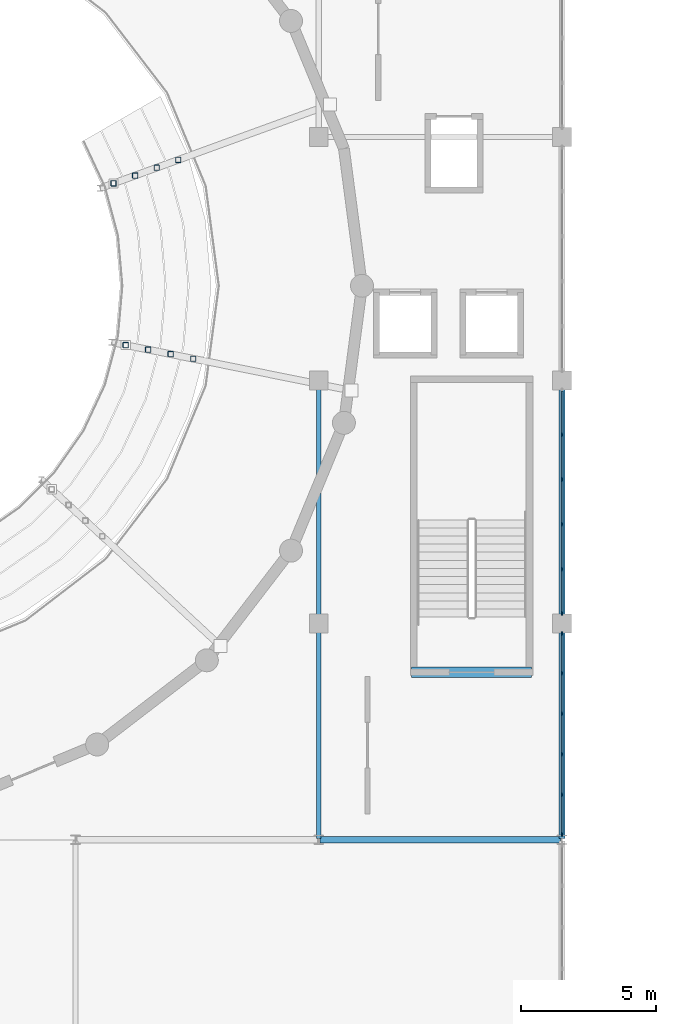
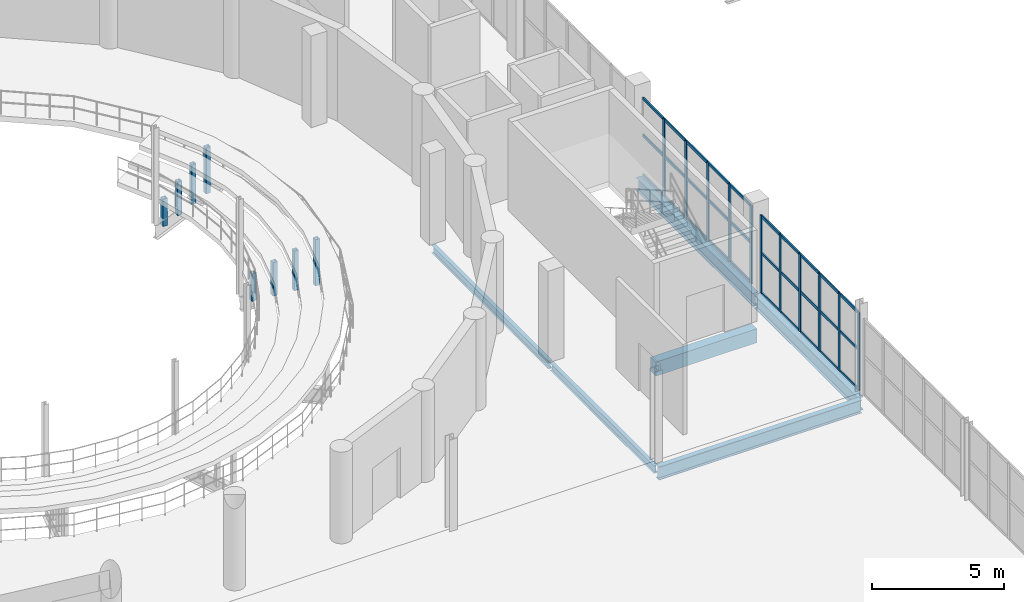
# One storey, part 30 of 73: 49 members, 6 beams, 2 elements without a shape of their own.
"""IFC4 building model written with IfcOpenShell, lengths in metres."""

from ifc_helpers import new_model, si_unit, direction, frame, origin, origin_2d, place, context, subcontext, project, spatial, rectangle, hollow_rectangle, i_section, extrude, material, layer, layer_set, material_profile, profile_set, type_object, element, aggregate, save


model = new_model("IFC4")

# Units and contexts
model_context = context("Model", 3, precision=1e-05, world=origin(), true_north=direction((0.0, 1.0)))
body_context = subcontext(model_context, "Body", "Model", "MODEL_VIEW")
ifc_project = project(units=[si_unit("LENGTHUNIT", "METRE"), si_unit("AREAUNIT", "SQUARE_METRE"), si_unit("VOLUMEUNIT", "CUBIC_METRE"), si_unit("PLANEANGLEUNIT", "RADIAN"), si_unit("MASSUNIT", "GRAM", prefix="KILO")], contexts=[model_context])

# Site, building, storey
site_placement = place(None, origin())
site = spatial("IfcSite", under=ifc_project, at=site_placement, CompositionType="ELEMENT")
building_placement = place(site_placement, origin())
building = spatial("IfcBuilding", under=site, at=building_placement, Name="Marnock Terrace Opera House", CompositionType="ELEMENT")
storey_placement = place(building_placement, frame((0.0, 0.0, 14.699951171875)))
storey = spatial("IfcBuildingStorey", under=building, at=storey_placement, Name="L03", CompositionType="ELEMENT", Elevation=14.699951171875)

# Beams
ifc_material_1 = material(Name="Steel Grade 350 (AS/NZS 3679.1)", Category="steel")
ifc_material_profile_1 = material_profile(ifc_material_1, i_section(OverallWidth=0.1708984375, OverallDepth=0.355712890625, WebThickness=0.00732421875, FlangeThickness=0.011474609375, FilletRadius=0.011474609375, at=origin_2d()))
ifc_profile_set_1 = profile_set([ifc_material_profile_1], Name="Steel Grade 350 (AS/NZS 3679.1)")
beam_type_1 = type_object("IfcBeamType", Name="BM-GIRD-360", PredefinedType="BEAM", material=ifc_profile_set_1)
beam_1_placement = place(storey_placement, frame((100.0, 40.050048828125, -0.437744140625), z_axis=(0.0, 1.0, 0.0), x_axis=(-1.0, 0.0, 0.0)))
element("IfcBeam", 1, at=beam_1_placement, inside=storey, type_object=beam_type_1, Name="L03 girder (X=100.0, 40.0..48.0)", PredefinedType="BEAM", context=body_context, shape_type="SweptSolid", body=[
    extrude(i_section(OverallWidth=0.1708984375, OverallDepth=0.355712890625, WebThickness=0.00732421875, FlangeThickness=0.011474609375, FilletRadius=0.011474609375, at=origin_2d()), origin(), (0.0, 0.0, 1.0), 7.89990234375),
])
beam_2_placement = place(storey_placement, frame((100.0, 48.050048828125, -0.437744140625), z_axis=(0.0, 1.0, 0.0), x_axis=(-1.0, 0.0, 0.0)))
element("IfcBeam", 2, at=beam_2_placement, inside=storey, type_object=beam_type_1, Name="L03 girder (X=100.0, 48.0..57.0)", PredefinedType="BEAM", context=body_context, shape_type="SweptSolid", body=[
    extrude(i_section(OverallWidth=0.1708984375, OverallDepth=0.355712890625, WebThickness=0.00732421875, FlangeThickness=0.011474609375, FilletRadius=0.011474609375, at=origin_2d()), origin(), (0.0, 0.0, 1.0), 8.89990234375),
])
ifc_material_profile_2 = material_profile(ifc_material_1, i_section(OverallWidth=0.22900390625, OverallDepth=0.611572265625, WebThickness=0.011962890625, FlangeThickness=0.01953125, FilletRadius=0.013916015625, at=origin_2d()))
ifc_profile_set_2 = profile_set([ifc_material_profile_2], Name="Steel Grade 350 (AS/NZS 3679.1)")
beam_type_2 = type_object("IfcBeamType", Name="BM-GIRD-610A", PredefinedType="BEAM", material=ifc_profile_set_2)
beam_3_placement = place(storey_placement, frame((100.050048828125, 40.0, -0.565673828125), z_axis=(1.0, 0.0, 0.0), x_axis=(0.0, 1.0, 0.0)))
element("IfcBeam", 3, at=beam_3_placement, inside=storey, type_object=beam_type_2, Name="L03 girder (100.0..109.0, Y=40.0)", PredefinedType="BEAM", context=body_context, shape_type="SweptSolid", body=[
    extrude(i_section(OverallWidth=0.22900390625, OverallDepth=0.611572265625, WebThickness=0.011962890625, FlangeThickness=0.01953125, FilletRadius=0.013916015625, at=origin_2d()), origin(), (0.0, 0.0, 1.0), 8.89990234375),
])
ifc_material_profile_3 = material_profile(ifc_material_1, i_section(OverallWidth=0.22802734375, OverallDepth=0.60205078125, WebThickness=0.010498046875, FlangeThickness=0.014892578125, FilletRadius=0.013916015625, at=origin_2d()))
ifc_profile_set_3 = profile_set([ifc_material_profile_3], Name="Steel Grade 350 (AS/NZS 3679.1)")
beam_type_3 = type_object("IfcBeamType", Name="BM-GIRD-610C", PredefinedType="BEAM", material=ifc_profile_set_3)
beam_4_placement = place(storey_placement, frame((109.0, 40.050048828125, -0.56103515625), z_axis=(0.0, 1.0, 0.0), x_axis=(-1.0, 0.0, 0.0)))
element("IfcBeam", 4, at=beam_4_placement, inside=storey, type_object=beam_type_3, Name="L03 girder (X=109.0, 40.0..48.0)", PredefinedType="BEAM", context=body_context, shape_type="SweptSolid", body=[
    extrude(i_section(OverallWidth=0.22802734375, OverallDepth=0.60205078125, WebThickness=0.010498046875, FlangeThickness=0.014892578125, FilletRadius=0.013916015625, at=origin_2d()), origin(), (0.0, 0.0, 1.0), 7.89990234375),
])
beam_5_placement = place(storey_placement, frame((109.0, 48.050048828125, -0.56103515625), z_axis=(0.0, 1.0, 0.0), x_axis=(-1.0, 0.0, 0.0)))
element("IfcBeam", 5, at=beam_5_placement, inside=storey, type_object=beam_type_3, Name="L03 girder (X=109.0, 48.0..57.0)", PredefinedType="BEAM", context=body_context, shape_type="SweptSolid", body=[
    extrude(i_section(OverallWidth=0.22802734375, OverallDepth=0.60205078125, WebThickness=0.010498046875, FlangeThickness=0.014892578125, FilletRadius=0.013916015625, at=origin_2d()), origin(), (0.0, 0.0, 1.0), 8.89990234375),
])
ifc_material_2 = material(Name="Concrete N40 (f'c = 40 MPa)", Category="concrete")
ifc_material_profile_4 = material_profile(ifc_material_2, rectangle(XDim=0.39990234375, YDim=0.64990234375, at=origin_2d()))
ifc_profile_set_4 = profile_set([ifc_material_profile_4], Name="Concrete N40 (f'c = 40 MPa)")
beam_type_4 = type_object("IfcBeamType", Name="BM-LINT-RC400", PredefinedType="LINTEL", material=ifc_profile_set_4)
beam_6_placement = place(storey_placement, frame((103.43994140625, 46.199951171875, -0.60986328125), z_axis=(1.0, 0.0, 0.0), x_axis=(0.0, 1.0, 0.0)))
element("IfcBeam", 6, at=beam_6_placement, inside=storey, type_object=beam_type_4, Name="L02 Core C2 coupling lintel", PredefinedType="LINTEL", context=body_context, shape_type="SweptSolid", body=[
    extrude(rectangle(XDim=0.39990234375, YDim=0.64990234375, at=origin_2d()), origin(), (0.0, 0.0, 1.0), 4.43994140625),
])

# Curtain wall, members
ifc_material_3 = material(Name="Anodised architectural bronze aluminium framing", Category="aluminium")
ifc_layer_1 = layer(ifc_material_3, 0.159912109375)
ifc_layer_set_1 = layer_set([ifc_layer_1], Name="Anodised architectural bronze aluminium framing")
curtain_wall_type_1 = type_object("IfcCurtainWallType", Name="CW-FOYER-80x42", PredefinedType="NOTDEFINED", material=ifc_layer_set_1)
curtain_wall_1_placement = place(storey_placement, origin())
curtain_wall_1 = element("IfcCurtainWall", 7, at=curtain_wall_1_placement, inside=storey, type_object=curtain_wall_type_1, Name="L03 glazed Beaux-Arts colonnade curtain wall CW-V1E-L03-05", PredefinedType="NOTDEFINED")
ifc_material_profile_5 = material_profile(ifc_material_3, rectangle(XDim=0.06005859375, YDim=0.14990234375, at=origin_2d()))
ifc_profile_set_5 = profile_set([ifc_material_profile_5], Name="Anodised architectural bronze aluminium framing")
member_type_1 = type_object("IfcMemberType", Name="CWM-60x150", PredefinedType="MULLION", material=ifc_profile_set_5)
member_1_placement = place(storey_placement, frame((109.0, 40.200927734375, 0.0), z_axis=(0.0, 0.0, 1.0), x_axis=(-1.0, 0.0, 0.0)))
member_1 = element("IfcMember", 8, at=member_1_placement, type_object=member_type_1, Name="CW-62 mullion 1", PredefinedType="MULLION", context=body_context, shape_type="SweptSolid", body=[
    extrude(rectangle(XDim=0.06005859375, YDim=0.14990234375, at=origin_2d()), origin(), (0.0, 0.0, 1.0), 3.6181640625),
])
member_2_placement = place(storey_placement, frame((109.0, 41.66748046875, 0.0), z_axis=(0.0, 0.0, 1.0), x_axis=(-1.0, 0.0, 0.0)))
member_2 = element("IfcMember", 9, at=member_2_placement, type_object=member_type_1, Name="CW-62 mullion 2", PredefinedType="MULLION", context=body_context, shape_type="SweptSolid", body=[
    extrude(rectangle(XDim=0.06005859375, YDim=0.14990234375, at=origin_2d()), origin(), (0.0, 0.0, 1.0), 3.6181640625),
])
member_3_placement = place(storey_placement, frame((109.0, 43.164306640625, 0.0), z_axis=(0.0, 0.0, 1.0), x_axis=(-1.0, 0.0, 0.0)))
member_3 = element("IfcMember", 10, at=member_3_placement, type_object=member_type_1, Name="CW-62 mullion 3", PredefinedType="MULLION", context=body_context, shape_type="SweptSolid", body=[
    extrude(rectangle(XDim=0.06005859375, YDim=0.14990234375, at=origin_2d()), origin(), (0.0, 0.0, 1.0), 3.6181640625),
])
member_4_placement = place(storey_placement, frame((109.0, 44.660888671875, 0.0), z_axis=(0.0, 0.0, 1.0), x_axis=(-1.0, 0.0, 0.0)))
member_4 = element("IfcMember", 11, at=member_4_placement, type_object=member_type_1, Name="CW-62 mullion 4", PredefinedType="MULLION", context=body_context, shape_type="SweptSolid", body=[
    extrude(rectangle(XDim=0.06005859375, YDim=0.14990234375, at=origin_2d()), origin(), (0.0, 0.0, 1.0), 3.6181640625),
])
member_5_placement = place(storey_placement, frame((109.0, 46.157470703125, 0.0), z_axis=(0.0, 0.0, 1.0), x_axis=(-1.0, 0.0, 0.0)))
member_5 = element("IfcMember", 12, at=member_5_placement, type_object=member_type_1, Name="CW-62 mullion 5", PredefinedType="MULLION", context=body_context, shape_type="SweptSolid", body=[
    extrude(rectangle(XDim=0.06005859375, YDim=0.14990234375, at=origin_2d()), origin(), (0.0, 0.0, 1.0), 3.6181640625),
])
member_6_placement = place(storey_placement, frame((109.0, 47.6240234375, 0.0), z_axis=(0.0, 0.0, 1.0), x_axis=(-1.0, 0.0, 0.0)))
member_6 = element("IfcMember", 13, at=member_6_placement, type_object=member_type_1, Name="CW-62 mullion 6", PredefinedType="MULLION", context=body_context, shape_type="SweptSolid", body=[
    extrude(rectangle(XDim=0.06005859375, YDim=0.14990234375, at=origin_2d()), origin(), (0.0, 0.0, 1.0), 3.6181640625),
])

ifc_layer_2 = layer(ifc_material_3, 0.159912109375)
ifc_layer_set_2 = layer_set([ifc_layer_2], Name="Anodised architectural bronze aluminium framing")
curtain_wall_type_2 = type_object("IfcCurtainWallType", Name="CW-FOYER-90x42", PredefinedType="NOTDEFINED", material=ifc_layer_set_2)
curtain_wall_2_placement = place(storey_placement, origin())
curtain_wall_2 = element("IfcCurtainWall", 14, at=curtain_wall_2_placement, inside=storey, type_object=curtain_wall_type_2, Name="L03 glazed Beaux-Arts colonnade curtain wall CW-V1E-L03-06", PredefinedType="NOTDEFINED")
member_7_placement = place(storey_placement, frame((109.0, 48.3759765625, 0.0), z_axis=(0.0, 0.0, 1.0), x_axis=(-1.0, 0.0, 0.0)))
member_7 = element("IfcMember", 15, at=member_7_placement, type_object=member_type_1, Name="CW-68 mullion 1", PredefinedType="MULLION", context=body_context, shape_type="SweptSolid", body=[
    extrude(rectangle(XDim=0.06005859375, YDim=0.14990234375, at=origin_2d()), origin(), (0.0, 0.0, 1.0), 3.6181640625),
])
member_8_placement = place(storey_placement, frame((109.0, 50.007568359375, 0.0), z_axis=(0.0, 0.0, 1.0), x_axis=(-1.0, 0.0, 0.0)))
member_8 = element("IfcMember", 16, at=member_8_placement, type_object=member_type_1, Name="CW-68 mullion 2", PredefinedType="MULLION", context=body_context, shape_type="SweptSolid", body=[
    extrude(rectangle(XDim=0.06005859375, YDim=0.14990234375, at=origin_2d()), origin(), (0.0, 0.0, 1.0), 3.6181640625),
])
member_9_placement = place(storey_placement, frame((109.0, 51.669189453125, 0.0), z_axis=(0.0, 0.0, 1.0), x_axis=(-1.0, 0.0, 0.0)))
member_9 = element("IfcMember", 17, at=member_9_placement, type_object=member_type_1, Name="CW-68 mullion 3", PredefinedType="MULLION", context=body_context, shape_type="SweptSolid", body=[
    extrude(rectangle(XDim=0.06005859375, YDim=0.14990234375, at=origin_2d()), origin(), (0.0, 0.0, 1.0), 3.6181640625),
])
member_10_placement = place(storey_placement, frame((109.0, 53.330810546875, 0.0), z_axis=(0.0, 0.0, 1.0), x_axis=(-1.0, 0.0, 0.0)))
member_10 = element("IfcMember", 18, at=member_10_placement, type_object=member_type_1, Name="CW-68 mullion 4", PredefinedType="MULLION", context=body_context, shape_type="SweptSolid", body=[
    extrude(rectangle(XDim=0.06005859375, YDim=0.14990234375, at=origin_2d()), origin(), (0.0, 0.0, 1.0), 3.6181640625),
])
member_11_placement = place(storey_placement, frame((109.0, 54.992431640625, 0.0), z_axis=(0.0, 0.0, 1.0), x_axis=(-1.0, 0.0, 0.0)))
member_11 = element("IfcMember", 19, at=member_11_placement, type_object=member_type_1, Name="CW-68 mullion 5", PredefinedType="MULLION", context=body_context, shape_type="SweptSolid", body=[
    extrude(rectangle(XDim=0.06005859375, YDim=0.14990234375, at=origin_2d()), origin(), (0.0, 0.0, 1.0), 3.6181640625),
])

# Member
ifc_material_profile_6 = material_profile(ifc_material_3, rectangle(XDim=0.06005859375, YDim=0.1298828125, at=origin_2d()))
ifc_profile_set_6 = profile_set([ifc_material_profile_6], Name="Anodised architectural bronze aluminium framing")
member_type_2 = type_object("IfcMemberType", Name="CWT-60x130", PredefinedType="USERDEFINED", material=ifc_profile_set_6)
member_12_placement = place(storey_placement, frame((109.0, 40.23095703125, 0.030029296875), z_axis=(0.0, 1.0, 0.0), x_axis=(-1.0, 0.0, 0.0)))
member_12 = element("IfcMember", 20, at=member_12_placement, type_object=member_type_2, Name="CW-62 transom 1.1", ObjectType="TRANSOM", PredefinedType="USERDEFINED", context=body_context, shape_type="SweptSolid", body=[
    extrude(rectangle(XDim=0.06005859375, YDim=0.1298828125, at=origin_2d()), origin(), (0.0, 0.0, 1.0), 1.40673828125),
])

member_13_placement = place(storey_placement, frame((109.0, 40.23095703125, 1.88134765625), z_axis=(0.0, 1.0, 0.0), x_axis=(-1.0, 0.0, 0.0)))
member_13 = element("IfcMember", 21, at=member_13_placement, type_object=member_type_2, Name="CW-62 transom 1.2", ObjectType="TRANSOM", PredefinedType="USERDEFINED", context=body_context, shape_type="SweptSolid", body=[
    extrude(rectangle(XDim=0.06005859375, YDim=0.1298828125, at=origin_2d()), origin(), (0.0, 0.0, 1.0), 1.40673828125),
])

member_14_placement = place(storey_placement, frame((109.0, 40.23095703125, 3.588134765625), z_axis=(0.0, 1.0, 0.0), x_axis=(-1.0, 0.0, 0.0)))
member_14 = element("IfcMember", 22, at=member_14_placement, type_object=member_type_2, Name="CW-62 transom 1.3", ObjectType="TRANSOM", PredefinedType="USERDEFINED", context=body_context, shape_type="SweptSolid", body=[
    extrude(rectangle(XDim=0.06005859375, YDim=0.1298828125, at=origin_2d()), origin(), (0.0, 0.0, 1.0), 1.40673828125),
])

member_15_placement = place(storey_placement, frame((109.0, 41.697509765625, 0.030029296875), z_axis=(0.0, 1.0, 0.0), x_axis=(-1.0, 0.0, 0.0)))
member_15 = element("IfcMember", 23, at=member_15_placement, type_object=member_type_2, Name="CW-62 transom 2.1", ObjectType="TRANSOM", PredefinedType="USERDEFINED", context=body_context, shape_type="SweptSolid", body=[
    extrude(rectangle(XDim=0.06005859375, YDim=0.1298828125, at=origin_2d()), origin(), (0.0, 0.0, 1.0), 1.436767578125),
])

member_16_placement = place(storey_placement, frame((109.0, 41.697509765625, 1.88134765625), z_axis=(0.0, 1.0, 0.0), x_axis=(-1.0, 0.0, 0.0)))
member_16 = element("IfcMember", 24, at=member_16_placement, type_object=member_type_2, Name="CW-62 transom 2.2", ObjectType="TRANSOM", PredefinedType="USERDEFINED", context=body_context, shape_type="SweptSolid", body=[
    extrude(rectangle(XDim=0.06005859375, YDim=0.1298828125, at=origin_2d()), origin(), (0.0, 0.0, 1.0), 1.436767578125),
])

member_17_placement = place(storey_placement, frame((109.0, 41.697509765625, 3.588134765625), z_axis=(0.0, 1.0, 0.0), x_axis=(-1.0, 0.0, 0.0)))
member_17 = element("IfcMember", 25, at=member_17_placement, type_object=member_type_2, Name="CW-62 transom 2.3", ObjectType="TRANSOM", PredefinedType="USERDEFINED", context=body_context, shape_type="SweptSolid", body=[
    extrude(rectangle(XDim=0.06005859375, YDim=0.1298828125, at=origin_2d()), origin(), (0.0, 0.0, 1.0), 1.436767578125),
])

member_18_placement = place(storey_placement, frame((109.0, 43.194091796875, 0.030029296875), z_axis=(0.0, 1.0, 0.0), x_axis=(-1.0, 0.0, 0.0)))
member_18 = element("IfcMember", 26, at=member_18_placement, type_object=member_type_2, Name="CW-62 transom 3.1", ObjectType="TRANSOM", PredefinedType="USERDEFINED", context=body_context, shape_type="SweptSolid", body=[
    extrude(rectangle(XDim=0.06005859375, YDim=0.1298828125, at=origin_2d()), origin(), (0.0, 0.0, 1.0), 1.436767578125),
])

member_19_placement = place(storey_placement, frame((109.0, 43.194091796875, 1.88134765625), z_axis=(0.0, 1.0, 0.0), x_axis=(-1.0, 0.0, 0.0)))
member_19 = element("IfcMember", 27, at=member_19_placement, type_object=member_type_2, Name="CW-62 transom 3.2", ObjectType="TRANSOM", PredefinedType="USERDEFINED", context=body_context, shape_type="SweptSolid", body=[
    extrude(rectangle(XDim=0.06005859375, YDim=0.1298828125, at=origin_2d()), origin(), (0.0, 0.0, 1.0), 1.436767578125),
])

member_20_placement = place(storey_placement, frame((109.0, 43.194091796875, 3.588134765625), z_axis=(0.0, 1.0, 0.0), x_axis=(-1.0, 0.0, 0.0)))
member_20 = element("IfcMember", 28, at=member_20_placement, type_object=member_type_2, Name="CW-62 transom 3.3", ObjectType="TRANSOM", PredefinedType="USERDEFINED", context=body_context, shape_type="SweptSolid", body=[
    extrude(rectangle(XDim=0.06005859375, YDim=0.1298828125, at=origin_2d()), origin(), (0.0, 0.0, 1.0), 1.436767578125),
])

member_21_placement = place(storey_placement, frame((109.0, 44.69091796875, 0.030029296875), z_axis=(0.0, 1.0, 0.0), x_axis=(-1.0, 0.0, 0.0)))
member_21 = element("IfcMember", 29, at=member_21_placement, type_object=member_type_2, Name="CW-62 transom 4.1", ObjectType="TRANSOM", PredefinedType="USERDEFINED", context=body_context, shape_type="SweptSolid", body=[
    extrude(rectangle(XDim=0.06005859375, YDim=0.1298828125, at=origin_2d()), origin(), (0.0, 0.0, 1.0), 1.4365234375),
])

member_22_placement = place(storey_placement, frame((109.0, 44.69091796875, 1.88134765625), z_axis=(0.0, 1.0, 0.0), x_axis=(-1.0, 0.0, 0.0)))
member_22 = element("IfcMember", 30, at=member_22_placement, type_object=member_type_2, Name="CW-62 transom 4.2", ObjectType="TRANSOM", PredefinedType="USERDEFINED", context=body_context, shape_type="SweptSolid", body=[
    extrude(rectangle(XDim=0.06005859375, YDim=0.1298828125, at=origin_2d()), origin(), (0.0, 0.0, 1.0), 1.4365234375),
])

member_23_placement = place(storey_placement, frame((109.0, 44.69091796875, 3.588134765625), z_axis=(0.0, 1.0, 0.0), x_axis=(-1.0, 0.0, 0.0)))
member_23 = element("IfcMember", 31, at=member_23_placement, type_object=member_type_2, Name="CW-62 transom 4.3", ObjectType="TRANSOM", PredefinedType="USERDEFINED", context=body_context, shape_type="SweptSolid", body=[
    extrude(rectangle(XDim=0.06005859375, YDim=0.1298828125, at=origin_2d()), origin(), (0.0, 0.0, 1.0), 1.4365234375),
])

member_24_placement = place(storey_placement, frame((109.0, 46.1875, 0.030029296875), z_axis=(0.0, 1.0, 0.0), x_axis=(-1.0, 0.0, 0.0)))
member_24 = element("IfcMember", 32, at=member_24_placement, type_object=member_type_2, Name="CW-62 transom 5.1", ObjectType="TRANSOM", PredefinedType="USERDEFINED", context=body_context, shape_type="SweptSolid", body=[
    extrude(rectangle(XDim=0.06005859375, YDim=0.1298828125, at=origin_2d()), origin(), (0.0, 0.0, 1.0), 1.406494140625),
])

member_25_placement = place(storey_placement, frame((109.0, 46.1875, 1.88134765625), z_axis=(0.0, 1.0, 0.0), x_axis=(-1.0, 0.0, 0.0)))
member_25 = element("IfcMember", 33, at=member_25_placement, type_object=member_type_2, Name="CW-62 transom 5.2", ObjectType="TRANSOM", PredefinedType="USERDEFINED", context=body_context, shape_type="SweptSolid", body=[
    extrude(rectangle(XDim=0.06005859375, YDim=0.1298828125, at=origin_2d()), origin(), (0.0, 0.0, 1.0), 1.406494140625),
])

member_26_placement = place(storey_placement, frame((109.0, 46.1875, 3.588134765625), z_axis=(0.0, 1.0, 0.0), x_axis=(-1.0, 0.0, 0.0)))
member_26 = element("IfcMember", 34, at=member_26_placement, type_object=member_type_2, Name="CW-62 transom 5.3", ObjectType="TRANSOM", PredefinedType="USERDEFINED", context=body_context, shape_type="SweptSolid", body=[
    extrude(rectangle(XDim=0.06005859375, YDim=0.1298828125, at=origin_2d()), origin(), (0.0, 0.0, 1.0), 1.406494140625),
])

aggregate(curtain_wall_1, [member_1, member_2, member_3, member_4, member_5, member_6, member_12, member_13, member_14, member_15, member_16, member_17, member_18, member_19, member_20, member_21, member_22, member_23, member_24, member_25, member_26])

member_27_placement = place(storey_placement, frame((109.0, 48.406005859375, 0.030029296875), z_axis=(0.0, 1.0, 0.0), x_axis=(-1.0, 0.0, 0.0)))
member_27 = element("IfcMember", 35, at=member_27_placement, type_object=member_type_2, Name="CW-68 transom 1.1", ObjectType="TRANSOM", PredefinedType="USERDEFINED", context=body_context, shape_type="SweptSolid", body=[
    extrude(rectangle(XDim=0.06005859375, YDim=0.1298828125, at=origin_2d()), origin(), (0.0, 0.0, 1.0), 1.571533203125),
])

member_28_placement = place(storey_placement, frame((109.0, 48.406005859375, 1.88134765625), z_axis=(0.0, 1.0, 0.0), x_axis=(-1.0, 0.0, 0.0)))
member_28 = element("IfcMember", 36, at=member_28_placement, type_object=member_type_2, Name="CW-68 transom 1.2", ObjectType="TRANSOM", PredefinedType="USERDEFINED", context=body_context, shape_type="SweptSolid", body=[
    extrude(rectangle(XDim=0.06005859375, YDim=0.1298828125, at=origin_2d()), origin(), (0.0, 0.0, 1.0), 1.571533203125),
])

member_29_placement = place(storey_placement, frame((109.0, 48.406005859375, 3.588134765625), z_axis=(0.0, 1.0, 0.0), x_axis=(-1.0, 0.0, 0.0)))
member_29 = element("IfcMember", 37, at=member_29_placement, type_object=member_type_2, Name="CW-68 transom 1.3", ObjectType="TRANSOM", PredefinedType="USERDEFINED", context=body_context, shape_type="SweptSolid", body=[
    extrude(rectangle(XDim=0.06005859375, YDim=0.1298828125, at=origin_2d()), origin(), (0.0, 0.0, 1.0), 1.571533203125),
])

member_30_placement = place(storey_placement, frame((109.0, 50.03759765625, 0.030029296875), z_axis=(0.0, 1.0, 0.0), x_axis=(-1.0, 0.0, 0.0)))
member_30 = element("IfcMember", 38, at=member_30_placement, type_object=member_type_2, Name="CW-68 transom 2.1", ObjectType="TRANSOM", PredefinedType="USERDEFINED", context=body_context, shape_type="SweptSolid", body=[
    extrude(rectangle(XDim=0.06005859375, YDim=0.1298828125, at=origin_2d()), origin(), (0.0, 0.0, 1.0), 1.6015625),
])

member_31_placement = place(storey_placement, frame((109.0, 50.03759765625, 1.88134765625), z_axis=(0.0, 1.0, 0.0), x_axis=(-1.0, 0.0, 0.0)))
member_31 = element("IfcMember", 39, at=member_31_placement, type_object=member_type_2, Name="CW-68 transom 2.2", ObjectType="TRANSOM", PredefinedType="USERDEFINED", context=body_context, shape_type="SweptSolid", body=[
    extrude(rectangle(XDim=0.06005859375, YDim=0.1298828125, at=origin_2d()), origin(), (0.0, 0.0, 1.0), 1.6015625),
])

member_32_placement = place(storey_placement, frame((109.0, 50.03759765625, 3.588134765625), z_axis=(0.0, 1.0, 0.0), x_axis=(-1.0, 0.0, 0.0)))
member_32 = element("IfcMember", 40, at=member_32_placement, type_object=member_type_2, Name="CW-68 transom 2.3", ObjectType="TRANSOM", PredefinedType="USERDEFINED", context=body_context, shape_type="SweptSolid", body=[
    extrude(rectangle(XDim=0.06005859375, YDim=0.1298828125, at=origin_2d()), origin(), (0.0, 0.0, 1.0), 1.6015625),
])

member_33_placement = place(storey_placement, frame((109.0, 51.69921875, 0.030029296875), z_axis=(0.0, 1.0, 0.0), x_axis=(-1.0, 0.0, 0.0)))
member_33 = element("IfcMember", 41, at=member_33_placement, type_object=member_type_2, Name="CW-68 transom 3.1", ObjectType="TRANSOM", PredefinedType="USERDEFINED", context=body_context, shape_type="SweptSolid", body=[
    extrude(rectangle(XDim=0.06005859375, YDim=0.1298828125, at=origin_2d()), origin(), (0.0, 0.0, 1.0), 1.6015625),
])

member_34_placement = place(storey_placement, frame((109.0, 51.69921875, 1.88134765625), z_axis=(0.0, 1.0, 0.0), x_axis=(-1.0, 0.0, 0.0)))
member_34 = element("IfcMember", 42, at=member_34_placement, type_object=member_type_2, Name="CW-68 transom 3.2", ObjectType="TRANSOM", PredefinedType="USERDEFINED", context=body_context, shape_type="SweptSolid", body=[
    extrude(rectangle(XDim=0.06005859375, YDim=0.1298828125, at=origin_2d()), origin(), (0.0, 0.0, 1.0), 1.6015625),
])

member_35_placement = place(storey_placement, frame((109.0, 51.69921875, 3.588134765625), z_axis=(0.0, 1.0, 0.0), x_axis=(-1.0, 0.0, 0.0)))
member_35 = element("IfcMember", 43, at=member_35_placement, type_object=member_type_2, Name="CW-68 transom 3.3", ObjectType="TRANSOM", PredefinedType="USERDEFINED", context=body_context, shape_type="SweptSolid", body=[
    extrude(rectangle(XDim=0.06005859375, YDim=0.1298828125, at=origin_2d()), origin(), (0.0, 0.0, 1.0), 1.6015625),
])

member_36_placement = place(storey_placement, frame((109.0, 53.36083984375, 0.030029296875), z_axis=(0.0, 1.0, 0.0), x_axis=(-1.0, 0.0, 0.0)))
member_36 = element("IfcMember", 44, at=member_36_placement, type_object=member_type_2, Name="CW-68 transom 4.1", ObjectType="TRANSOM", PredefinedType="USERDEFINED", context=body_context, shape_type="SweptSolid", body=[
    extrude(rectangle(XDim=0.06005859375, YDim=0.1298828125, at=origin_2d()), origin(), (0.0, 0.0, 1.0), 1.6015625),
])

member_37_placement = place(storey_placement, frame((109.0, 53.36083984375, 1.88134765625), z_axis=(0.0, 1.0, 0.0), x_axis=(-1.0, 0.0, 0.0)))
member_37 = element("IfcMember", 45, at=member_37_placement, type_object=member_type_2, Name="CW-68 transom 4.2", ObjectType="TRANSOM", PredefinedType="USERDEFINED", context=body_context, shape_type="SweptSolid", body=[
    extrude(rectangle(XDim=0.06005859375, YDim=0.1298828125, at=origin_2d()), origin(), (0.0, 0.0, 1.0), 1.6015625),
])

member_38_placement = place(storey_placement, frame((109.0, 53.36083984375, 3.588134765625), z_axis=(0.0, 1.0, 0.0), x_axis=(-1.0, 0.0, 0.0)))
member_38 = element("IfcMember", 46, at=member_38_placement, type_object=member_type_2, Name="CW-68 transom 4.3", ObjectType="TRANSOM", PredefinedType="USERDEFINED", context=body_context, shape_type="SweptSolid", body=[
    extrude(rectangle(XDim=0.06005859375, YDim=0.1298828125, at=origin_2d()), origin(), (0.0, 0.0, 1.0), 1.6015625),
])

member_39_placement = place(storey_placement, frame((109.0, 55.0224609375, 0.030029296875), z_axis=(0.0, 1.0, 0.0), x_axis=(-1.0, 0.0, 0.0)))
member_39 = element("IfcMember", 47, at=member_39_placement, type_object=member_type_2, Name="CW-68 transom 5.1", ObjectType="TRANSOM", PredefinedType="USERDEFINED", context=body_context, shape_type="SweptSolid", body=[
    extrude(rectangle(XDim=0.06005859375, YDim=0.1298828125, at=origin_2d()), origin(), (0.0, 0.0, 1.0), 1.571533203125),
])

member_40_placement = place(storey_placement, frame((109.0, 55.0224609375, 1.88134765625), z_axis=(0.0, 1.0, 0.0), x_axis=(-1.0, 0.0, 0.0)))
member_40 = element("IfcMember", 48, at=member_40_placement, type_object=member_type_2, Name="CW-68 transom 5.2", ObjectType="TRANSOM", PredefinedType="USERDEFINED", context=body_context, shape_type="SweptSolid", body=[
    extrude(rectangle(XDim=0.06005859375, YDim=0.1298828125, at=origin_2d()), origin(), (0.0, 0.0, 1.0), 1.571533203125),
])

member_41_placement = place(storey_placement, frame((109.0, 55.0224609375, 3.588134765625), z_axis=(0.0, 1.0, 0.0), x_axis=(-1.0, 0.0, 0.0)))
member_41 = element("IfcMember", 49, at=member_41_placement, type_object=member_type_2, Name="CW-68 transom 5.3", ObjectType="TRANSOM", PredefinedType="USERDEFINED", context=body_context, shape_type="SweptSolid", body=[
    extrude(rectangle(XDim=0.06005859375, YDim=0.1298828125, at=origin_2d()), origin(), (0.0, 0.0, 1.0), 1.571533203125),
])

aggregate(curtain_wall_2, [member_7, member_8, member_9, member_10, member_11, member_27, member_28, member_29, member_30, member_31, member_32, member_33, member_34, member_35, member_36, member_37, member_38, member_39, member_40, member_41])

# Members
ifc_material_4 = material(Name="Cold-formed Steel Grade C350L0 (AS/NZS 1163)", Category="steel")
ifc_material_profile_7 = material_profile(ifc_material_4, hollow_rectangle(XDim=0.199951171875, YDim=0.199951171875, WallThickness=0.009033203125, InnerFilletRadius=0.009033203125, OuterFilletRadius=0.01806640625, at=origin_2d()))
ifc_profile_set_7 = profile_set([ifc_material_profile_7], Name="Cold-formed Steel Grade C350L0 (AS/NZS 1163)")
member_type_3 = type_object("IfcMemberType", Name="MEM-TRUSS-WEB2", PredefinedType="BRACE", material=ifc_profile_set_7)
member_42_placement = place(storey_placement, frame((92.85546875, 58.305419921875, -1.13037109375), z_axis=(0.0, 0.0, 1.0), x_axis=(1.0, 0.0, 0.0)))
element("IfcMember", 50, at=member_42_placement, inside=storey, type_object=member_type_3, Name="L03 Auditorium tier support post 7.1", PredefinedType="BRACE", context=body_context, shape_type="SweptSolid", body=[
    extrude(hollow_rectangle(XDim=0.199951171875, YDim=0.199951171875, WallThickness=0.009033203125, InnerFilletRadius=0.009033203125, OuterFilletRadius=0.01806640625, at=origin_2d()), origin(), (0.0, 0.0, 1.0), 1.260498046875),
])
member_43_placement = place(storey_placement, frame((93.688720703125, 58.13720703125, -1.08251953125), z_axis=(0.0, 0.0, 1.0), x_axis=(1.0, 0.0, 0.0)))
element("IfcMember", 51, at=member_43_placement, inside=storey, type_object=member_type_3, Name="L03 Auditorium tier support post 7.2", PredefinedType="BRACE", context=body_context, shape_type="SweptSolid", body=[
    extrude(hollow_rectangle(XDim=0.199951171875, YDim=0.199951171875, WallThickness=0.009033203125, InnerFilletRadius=0.009033203125, OuterFilletRadius=0.01806640625, at=origin_2d()), origin(), (0.0, 0.0, 1.0), 1.552490234375),
])
member_44_placement = place(storey_placement, frame((94.521728515625, 57.96875, -1.03466796875), z_axis=(0.0, 0.0, 1.0), x_axis=(1.0, 0.0, 0.0)))
element("IfcMember", 52, at=member_44_placement, inside=storey, type_object=member_type_3, Name="L03 Auditorium tier support post 7.3", PredefinedType="BRACE", context=body_context, shape_type="SweptSolid", body=[
    extrude(hollow_rectangle(XDim=0.199951171875, YDim=0.199951171875, WallThickness=0.009033203125, InnerFilletRadius=0.009033203125, OuterFilletRadius=0.01806640625, at=origin_2d()), origin(), (0.0, 0.0, 1.0), 1.8447265625),
])
member_45_placement = place(storey_placement, frame((95.35498046875, 57.80029296875, -0.986572265625), z_axis=(0.0, 0.0, 1.0), x_axis=(1.0, 0.0, 0.0)))
element("IfcMember", 53, at=member_45_placement, inside=storey, type_object=member_type_3, Name="L03 Auditorium tier support post 7.4", PredefinedType="BRACE", context=body_context, shape_type="SweptSolid", body=[
    extrude(hollow_rectangle(XDim=0.199951171875, YDim=0.199951171875, WallThickness=0.009033203125, InnerFilletRadius=0.009033203125, OuterFilletRadius=0.01806640625, at=origin_2d()), origin(), (0.0, 0.0, 1.0), 2.13671875),
])
member_46_placement = place(storey_placement, frame((92.406982421875, 64.287841796875, -1.13037109375), z_axis=(0.0, 0.0, 1.0), x_axis=(1.0, 0.0, 0.0)))
element("IfcMember", 54, at=member_46_placement, inside=storey, type_object=member_type_3, Name="L03 Auditorium tier support post 8.1", PredefinedType="BRACE", context=body_context, shape_type="SweptSolid", body=[
    extrude(hollow_rectangle(XDim=0.199951171875, YDim=0.199951171875, WallThickness=0.009033203125, InnerFilletRadius=0.009033203125, OuterFilletRadius=0.01806640625, at=origin_2d()), origin(), (0.0, 0.0, 1.0), 1.260498046875),
])
member_47_placement = place(storey_placement, frame((93.205810546875, 64.57861328125, -1.08251953125), z_axis=(0.0, 0.0, 1.0), x_axis=(1.0, 0.0, 0.0)))
element("IfcMember", 55, at=member_47_placement, inside=storey, type_object=member_type_3, Name="L03 Auditorium tier support post 8.2", PredefinedType="BRACE", context=body_context, shape_type="SweptSolid", body=[
    extrude(hollow_rectangle(XDim=0.199951171875, YDim=0.199951171875, WallThickness=0.009033203125, InnerFilletRadius=0.009033203125, OuterFilletRadius=0.01806640625, at=origin_2d()), origin(), (0.0, 0.0, 1.0), 1.552490234375),
])
member_48_placement = place(storey_placement, frame((94.004638671875, 64.869384765625, -1.03466796875), z_axis=(0.0, 0.0, 1.0), x_axis=(1.0, 0.0, 0.0)))
element("IfcMember", 56, at=member_48_placement, inside=storey, type_object=member_type_3, Name="L03 Auditorium tier support post 8.3", PredefinedType="BRACE", context=body_context, shape_type="SweptSolid", body=[
    extrude(hollow_rectangle(XDim=0.199951171875, YDim=0.199951171875, WallThickness=0.009033203125, InnerFilletRadius=0.009033203125, OuterFilletRadius=0.01806640625, at=origin_2d()), origin(), (0.0, 0.0, 1.0), 1.8447265625),
])
member_49_placement = place(storey_placement, frame((94.80322265625, 65.159912109375, -0.986572265625), z_axis=(0.0, 0.0, 1.0), x_axis=(1.0, 0.0, 0.0)))
element("IfcMember", 57, at=member_49_placement, inside=storey, type_object=member_type_3, Name="L03 Auditorium tier support post 8.4", PredefinedType="BRACE", context=body_context, shape_type="SweptSolid", body=[
    extrude(hollow_rectangle(XDim=0.199951171875, YDim=0.199951171875, WallThickness=0.009033203125, InnerFilletRadius=0.009033203125, OuterFilletRadius=0.01806640625, at=origin_2d()), origin(), (0.0, 0.0, 1.0), 2.13671875),
])

save(model, "model.ifc")
